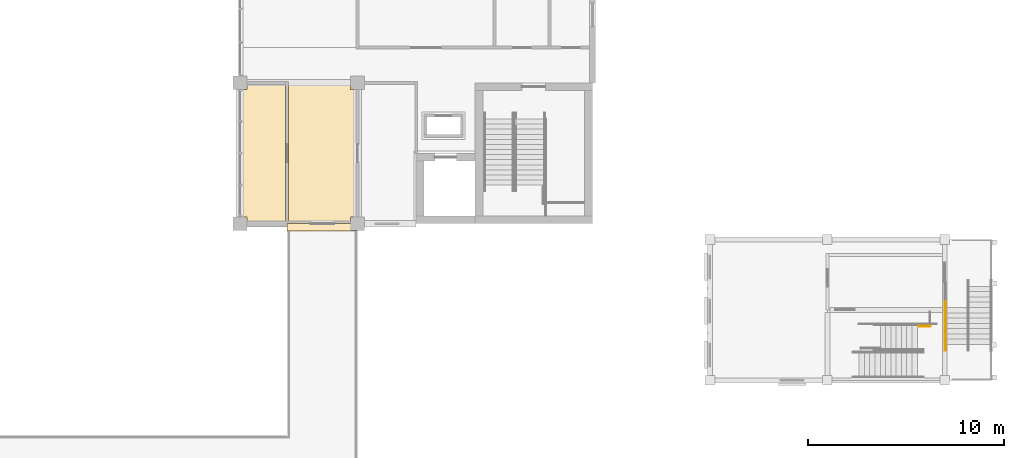
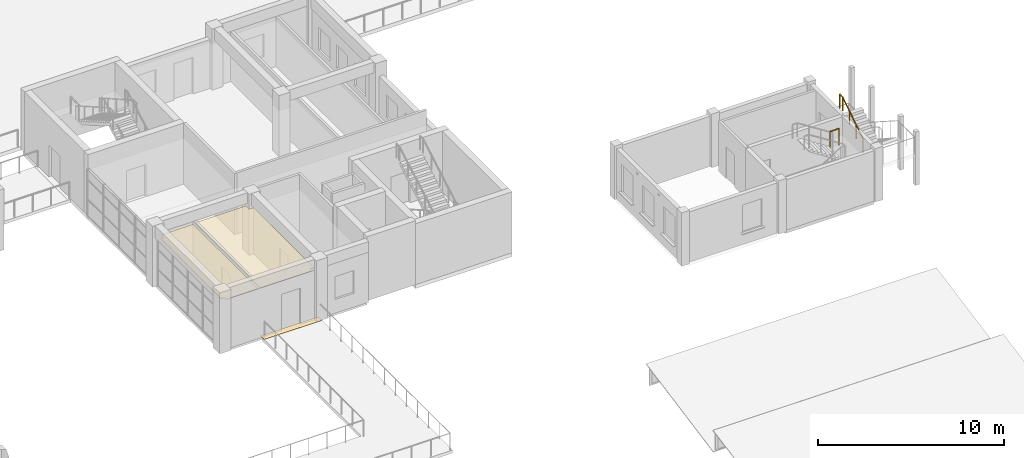
# One storey, part 96 of 101: 3 coverings, 2 railings.
"""IFC4 building model written with IfcOpenShell, lengths in metres."""

import ifcopenshell
import ifcopenshell.guid

model = None  # the IFC model being written
_history = None  # IfcOwnerHistory: only IFC2X3 demands one
_inside = {}  # id of a spatial element -> (the spatial element, [elements in it])
_under = {}  # id of a project, library or spatial element -> (it, [spatial elements below it])
_declared = {}  # id of a project -> (the project, [libraries it declares])
_typed = {}  # id of a type object -> (the type object, [elements of that type])
_made_of = {}  # id of a material, layer set ... -> (it, [elements and type objects made of it])


def new_model(schema):
    """Start an empty IFC model of exactly this schema.

    Asked for "IFC4X3", IfcOpenShell would pick the latest addendum, in which some entities
    have other attributes; the version numbers below select the first issue.
    IFC2X3 requires an IfcOwnerHistory on every rooted entity: one is made here for all.
    """
    global model, _history
    if schema == "IFC4X3":
        model = ifcopenshell.file(schema_version=(4, 3, 0, 0))
    else:
        model = ifcopenshell.file(schema=schema)
    _inside.clear()
    _under.clear()
    _declared.clear()
    _typed.clear()
    _made_of.clear()
    _history = None
    if model.schema == "IFC2X3":
        org = make("IfcOrganization", Name="unknown")
        user = make(
            "IfcPersonAndOrganization",
            ThePerson=make("IfcPerson", FamilyName="unknown"),
            TheOrganization=org,
        )
        app = make(
            "IfcApplication",
            ApplicationDeveloper=org,
            Version="unknown",
            ApplicationFullName="unknown",
            ApplicationIdentifier="unknown",
        )
        _history = make(
            "IfcOwnerHistory",
            OwningUser=user,
            OwningApplication=app,
            ChangeAction="ADDED",
            CreationDate=0,
        )
    return model


def make(cls, **values):
    """One entity of the class cls with the attributes given. An attribute that is None is left unset."""
    return model.create_entity(
        cls, **{name: value for name, value in values.items() if value is not None}
    )


def rooted(cls, **values):
    """An entity with a GlobalId (a new one), such as an element, a storey or a relation."""
    return make(cls, GlobalId=ifcopenshell.guid.new(), OwnerHistory=_history, **values)


def si_unit(unit_type, name, prefix=None):
    """IfcSIUnit, for example si_unit("LENGTHUNIT", "METRE", prefix="MILLI")."""
    return make("IfcSIUnit", UnitType=unit_type, Prefix=prefix, Name=name)


def assignment(units):
    """IfcUnitAssignment: the units of a project."""
    return None if units is None else make("IfcUnitAssignment", Units=units)


def point(xyz):
    """IfcCartesianPoint."""
    return None if xyz is None else make("IfcCartesianPoint", Coordinates=xyz)


def direction(xyz):
    """IfcDirection."""
    return None if xyz is None else make("IfcDirection", DirectionRatios=xyz)


def frame(location, z_axis=None, x_axis=None):
    """IfcAxis2Placement3D, a coordinate frame: its origin and axes. An axis left out is left unset."""
    return make(
        "IfcAxis2Placement3D",
        Location=point(location),
        Axis=direction(z_axis),
        RefDirection=direction(x_axis),
    )


def frame_2d(location, x_axis=None):
    """IfcAxis2Placement2D, a coordinate frame in the plane: its origin and x axis."""
    return make(
        "IfcAxis2Placement2D", Location=point(location), RefDirection=direction(x_axis)
    )


def origin():
    """The frame at (0, 0, 0) with its axes left unset."""
    return frame((0.0, 0.0, 0.0))


def origin_2d():
    """The frame at (0, 0) in the plane with its x axis left unset."""
    return frame_2d((0.0, 0.0))


def place(relative_to, where):
    """IfcLocalPlacement: puts the frame where relative to a parent placement (None: the world)."""
    return make(
        "IfcLocalPlacement", PlacementRelTo=relative_to, RelativePlacement=where
    )


def context(
    kind, dimensions, precision=None, world=None, true_north=None, identifier=None
):
    """IfcGeometricRepresentationContext, for example the 3D "Model" context."""
    return make(
        "IfcGeometricRepresentationContext",
        ContextIdentifier=identifier,
        ContextType=kind,
        CoordinateSpaceDimension=dimensions,
        Precision=precision,
        WorldCoordinateSystem=world,
        TrueNorth=true_north,
    )


def subcontext(parent, identifier, kind, view, scale=None):
    """IfcGeometricRepresentationSubContext, for example "Body" below "Model"."""
    return make(
        "IfcGeometricRepresentationSubContext",
        ContextIdentifier=identifier,
        ContextType=kind,
        ParentContext=parent,
        TargetScale=scale,
        TargetView=view,
    )


def project(units=None, contexts=None):
    """IfcProject with its units and contexts."""
    return rooted(
        "IfcProject",
        Name="project",
        RepresentationContexts=contexts,
        UnitsInContext=assignment(units),
    )


def spatial(cls, under=None, at=None, **own):
    """A site, building, storey or space (cls), placed at a placement, below another one or the project."""
    s = rooted(cls, ObjectPlacement=at, **own)
    if under is not None:
        _under.setdefault(under.id(), (under, []))[1].append(s)
    return s


def polyline(points):
    """IfcPolyline through the points."""
    return make("IfcPolyline", Points=[point(p) for p in points])


def profile(cls, at=None, kind="AREA", **sizes):
    """A parametric profile (cls). Its sizes go by their IFC names, for example OverallWidth=200.0."""
    return make(cls, ProfileType=kind, Position=at, **sizes)


def rectangle(**sizes):
    """IfcRectangleProfileDef."""
    return profile("IfcRectangleProfileDef", **sizes)


def circle(**sizes):
    """IfcCircleProfileDef."""
    return profile("IfcCircleProfileDef", **sizes)


def outline(outer, holes=None, kind="AREA"):
    """IfcArbitraryClosedProfileDef: a profile drawn as a closed curve; with holes, ...WithVoids."""
    if holes is None:
        return make("IfcArbitraryClosedProfileDef", ProfileType=kind, OuterCurve=outer)
    return make(
        "IfcArbitraryProfileDefWithVoids",
        ProfileType=kind,
        OuterCurve=outer,
        InnerCurves=holes,
    )


def extrude(swept, where, along, depth):
    """IfcExtrudedAreaSolid: the profile swept, set in the frame where, extruded along a direction by depth."""
    return make(
        "IfcExtrudedAreaSolid",
        SweptArea=swept,
        Position=where,
        ExtrudedDirection=direction(along),
        Depth=depth,
    )


def shape(context_of_items, identifier, shape_type, items):
    """IfcShapeRepresentation: the items that make up one representation, for example the "Body"."""
    return make(
        "IfcShapeRepresentation",
        ContextOfItems=context_of_items,
        RepresentationIdentifier=identifier,
        RepresentationType=shape_type,
        Items=items,
    )


def material(Name=None, Category=None):
    """IfcMaterial."""
    return make("IfcMaterial", Name=Name, Category=Category)


def layer(
    of_material, thickness, ventilated=None, Name=None, Category=None, Priority=None
):
    """IfcMaterialLayer: one layer of a wall or slab, of a material (None: an air gap)."""
    return make(
        "IfcMaterialLayer",
        Material=of_material,
        LayerThickness=thickness,
        IsVentilated=ventilated,
        Name=Name,
        Category=Category,
        Priority=Priority,
    )


def layer_set(layers, Name=None):
    """IfcMaterialLayerSet."""
    return make("IfcMaterialLayerSet", MaterialLayers=layers, LayerSetName=Name)


def made_of(thing, what):
    """Note that an element or type object is made of a material, layer set ...; save() writes the relation."""
    if what is not None:
        _made_of.setdefault(what.id(), (what, []))[1].append(thing)
    return thing


def type_object(cls, material=None, **own):
    """A type object (cls), such as IfcWallType, which elements share."""
    return made_of(rooted(cls, **own), material)


def element(
    cls,
    number,
    at=None,
    inside=None,
    cuts=None,
    type_object=None,
    material=None,
    context=None,
    identifier="Body",
    shape_type=None,
    held_by="IfcProductDefinitionShape",
    body=None,
    shapes=None,
    **own,
):
    """One element of the class cls, such as IfcWall. Its Tag is "e" and its number.

    at: its placement. inside: the storey or other place that contains it. cuts: it is an
    opening in that element (IfcRelVoidsElement). A single representation is given by context,
    identifier, shape_type and body (its items); several are given by shapes. held_by: the class
    of the entity that holds the representations. save() writes the other relations.
    """
    e = rooted(cls, Tag="e%d" % number, ObjectPlacement=at, **own)
    if body is not None:
        shapes = [shape(context, identifier, shape_type, body)]
    if shapes is not None:
        e.Representation = make(held_by, Representations=shapes)
    if inside is not None:
        _inside.setdefault(inside.id(), (inside, []))[1].append(e)
    if cuts is not None:
        rooted(
            "IfcRelVoidsElement", RelatingBuildingElement=cuts, RelatedOpeningElement=e
        )
    if type_object is not None:
        _typed.setdefault(type_object.id(), (type_object, []))[1].append(e)
    return made_of(e, material)


def aggregate(whole, parts):
    """IfcRelAggregates: a whole, such as a stair, and the parts it consists of."""
    return rooted("IfcRelAggregates", RelatingObject=whole, RelatedObjects=parts)


def save(model, path):
    """Write the relations noted so far, then the file.

    IfcRelAggregates (storeys below a building ...), IfcRelContainedInSpatialStructure (elements
    in a storey), IfcRelDefinesByType, IfcRelAssociatesMaterial and IfcRelDeclares: one each for
    every whole, place, type object, material and project.
    """
    for whole, parts in _under.values():
        aggregate(whole, parts)
    for where, things in _inside.values():
        rooted(
            "IfcRelContainedInSpatialStructure",
            RelatedElements=things,
            RelatingStructure=where,
        )
    for kind, things in _typed.values():
        rooted("IfcRelDefinesByType", RelatedObjects=things, RelatingType=kind)
    for what, things in _made_of.values():
        rooted("IfcRelAssociatesMaterial", RelatedObjects=things, RelatingMaterial=what)
    for by, libraries in _declared.values():
        rooted("IfcRelDeclares", RelatingContext=by, RelatedDefinitions=libraries)
    model.write(path)


model = new_model("IFC4")

# Units and contexts
model_context = context("Model", 3, precision=1e-05, world=origin(), true_north=direction((0.0, 1.0)))
body_context = subcontext(model_context, "Body", "Model", "MODEL_VIEW")
ifc_project = project(units=[si_unit("LENGTHUNIT", "METRE"), si_unit("AREAUNIT", "SQUARE_METRE"), si_unit("VOLUMEUNIT", "CUBIC_METRE"), si_unit("PLANEANGLEUNIT", "RADIAN"), si_unit("MASSUNIT", "GRAM", prefix="KILO")], contexts=[model_context])

# Site, building, storey
site_placement = place(None, origin())
site = spatial("IfcSite", under=ifc_project, at=site_placement, CompositionType="ELEMENT")
building_placement = place(site_placement, origin())
building = spatial("IfcBuilding", under=site, at=building_placement, Name="Laocheng Heights Fire and Rescue Headquarters", CompositionType="ELEMENT")
storey_placement = place(building_placement, frame((0.0, 0.0, 8.39990234375)))
storey = spatial("IfcBuildingStorey", under=building, at=storey_placement, Name="L02", CompositionType="ELEMENT", Elevation=8.39990234375)

# Covering
ifc_material_1 = material(Name="Stainless steel cover plate", Category="steel")
ifc_layer_1 = layer(ifc_material_1, 0.010009765625)
ifc_layer_set_1 = layer_set([ifc_layer_1], Name="Stainless steel cover plate")
covering_type_1 = type_object("IfcCoveringType", Name="MOVEMENT JOINT COVER PLATE 10", PredefinedType="FLOORING", material=ifc_layer_set_1)
covering_1_placement = place(storey_placement, frame((94.199951171875, 35.824951171875, -0.009765625), z_axis=(0.0, 0.0, 1.0), x_axis=(1.0, 0.0, 0.0)))
element("IfcCovering", 1, at=covering_1_placement, inside=storey, type_object=covering_type_1, Name="Bridge B4 movement joint cover plate", PredefinedType="FLOORING", context=body_context, shape_type="SweptSolid", body=[
    extrude(rectangle(XDim=3.60009765625, YDim=0.39990234375, at=origin_2d()), origin(), (0.0, 0.0, 1.0), 0.010009765625),
])

# Railings
ifc_material_2 = material(Name="Steel Q355B", Category="steel")
railing_type_1 = type_object("IfcRailingType", Name="STAIR GUARD 1100", PredefinedType="GUARDRAIL", material=ifc_material_2)
railing_1_placement = place(storey_placement, frame((125.2548828125, 30.77001953125, 4.2001953125)))
element("IfcRailing", 2, at=railing_1_placement, inside=storey, type_object=railing_type_1, Name="Stair T1 guard F4 half landing", PredefinedType="GUARDRAIL", context=body_context, shape_type="SweptSolid", body=[
    extrude(circle(Radius=0.02392578125, at=origin_2d()), frame((0.0, 0.0, 1.076171875), z_axis=(-1.0, 0.0, 0.0), x_axis=(0.0, -1.0, 0.0)), (0.0, 0.0, 1.0), 0.559814453125),
    extrude(circle(Radius=0.02099609375, at=origin_2d()), origin(), (0.0, 0.0, 1.0), 1.052001953125),
    extrude(circle(Radius=0.02099609375, at=origin_2d()), frame((-0.559814453125, 0.0, 0.0)), (0.0, 0.0, 1.0), 1.052001953125),
])
ifc_material_3 = material(Name="Steel Q355B", Category="steel")
railing_type_2 = type_object("IfcRailingType", Name="STAIR HANDRAIL 920", PredefinedType="HANDRAIL", material=ifc_material_3)
railing_2_placement = place(storey_placement, frame((126.030029296875, 29.530029296875, 4.2001953125)))
element("IfcRailing", 3, at=railing_2_placement, inside=storey, type_object=railing_type_2, Name="Stair T2 handrail F4 4", PredefinedType="HANDRAIL", context=body_context, shape_type="SweptSolid", body=[
    extrude(circle(Radius=0.02392578125, at=origin_2d()), frame((0.0, 0.0, 0.89599609375), z_axis=(0.0, 0.842561281479, 0.538600489186), x_axis=(-1.0, 0.0, 0.0)), (0.0, 0.0, 1.0), 2.59912109375),
    extrude(circle(Radius=0.02392578125, at=origin_2d()), frame((0.0, 2.18994140625, 2.2958984375), z_axis=(0.0, 1.0, 0.0), x_axis=(-1.0, 0.0, 0.0)), (0.0, 0.0, 1.0), 0.300048828125),
    extrude(circle(Radius=0.02099609375, at=origin_2d()), origin(), (0.0, 0.0, 1.0), 0.871826171875),
    extrude(circle(Radius=0.02099609375, at=origin_2d()), frame((0.0, 0.72998046875, 0.466552734375)), (0.0, 0.0, 1.0), 0.871826171875),
    extrude(circle(Radius=0.02099609375, at=origin_2d()), frame((0.0, 1.4599609375, 0.933349609375)), (0.0, 0.0, 1.0), 0.871826171875),
    extrude(circle(Radius=0.02099609375, at=origin_2d()), frame((0.0, 2.18994140625, 1.39990234375)), (0.0, 0.0, 1.0), 0.871826171875),
    extrude(circle(Radius=0.02099609375, at=origin_2d()), frame((0.0, 2.489990234375, 1.39990234375)), (0.0, 0.0, 1.0), 0.871826171875),
])

# Coverings
ifc_material_4 = material(Name="Mineral fibre ceiling tile")
ifc_layer_2 = layer(ifc_material_4, 0.0400390625)
ifc_layer_set_2 = layer_set([ifc_layer_2], Name="Mineral fibre ceiling tile")
covering_type_2 = type_object("IfcCoveringType", Name="SUSPENDED CEILING MINERAL FIBRE TILE CREW WING", PredefinedType="CEILING", material=ifc_layer_set_2)
covering_2_placement = place(storey_placement, frame((0.0, 0.0, 3.0)))
element("IfcCovering", 4, at=covering_2_placement, inside=storey, type_object=covering_type_2, Name="Changing Rooms ceiling", PredefinedType="CEILING", context=body_context, shape_type="SweptSolid", body=[
    extrude(outline(polyline([(90.35009765625, 36.14990234375), (90.35009765625, 36.35009765625), (90.14990234375, 36.35009765625), (90.14990234375, 42.85009765625), (90.35009765625, 42.85009765625), (90.35009765625, 43.125), (92.324951171875, 43.125), (92.324951171875, 36.14990234375), (90.35009765625, 36.14990234375)])), origin(), (0.0, 0.0, 1.0), 0.0400390625),
])
covering_3_placement = place(storey_placement, frame((0.0, 0.0, 3.0)))
element("IfcCovering", 5, at=covering_3_placement, inside=storey, type_object=covering_type_2, Name="Bridge Arrival Lobby ceiling", PredefinedType="CEILING", context=body_context, shape_type="SweptSolid", body=[
    extrude(outline(polyline([(95.925048828125, 36.35009765625), (95.64990234375, 36.35009765625), (95.64990234375, 36.14990234375), (92.47509765625, 36.14990234375), (92.47509765625, 43.199951171875), (95.64990234375, 43.199951171875), (95.64990234375, 42.85009765625), (95.925048828125, 42.85009765625), (95.925048828125, 36.35009765625)])), origin(), (0.0, 0.0, 1.0), 0.0400390625),
])

save(model, "model.ifc")
